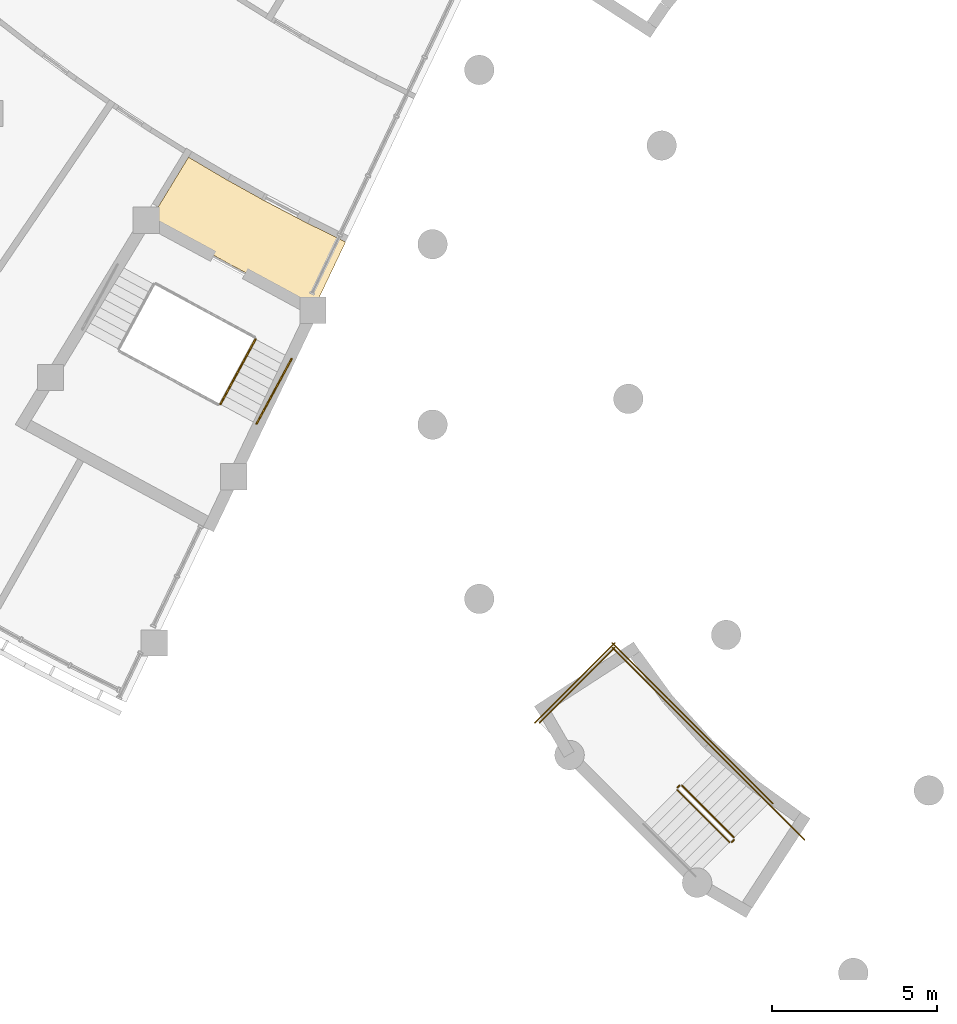
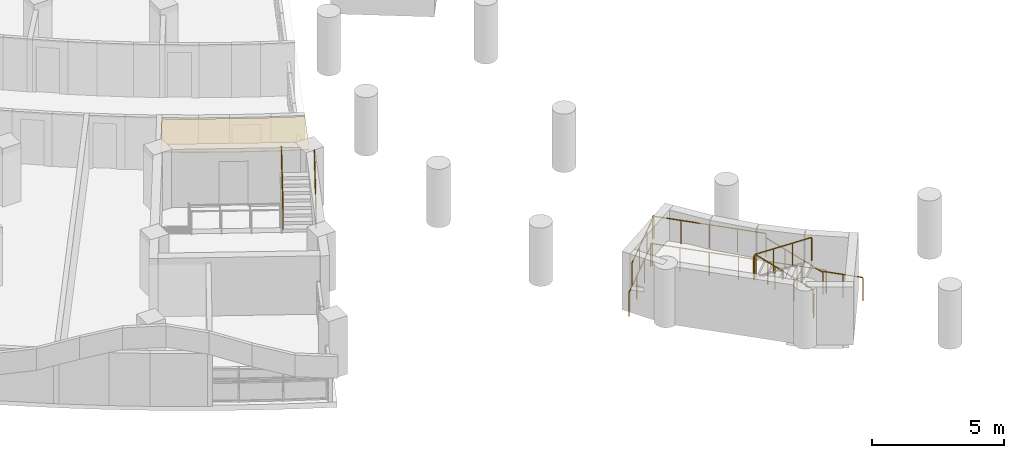
# One storey, part 79 of 89: 12 railings, 1 covering.
"""IFC4 building model written with IfcOpenShell, lengths in metres."""

from ifc_helpers import new_model, si_unit, direction, frame, origin, origin_2d, place, context, subcontext, project, spatial, polyline, circle, outline, extrude, material, layer, layer_set, type_object, element, save


model = new_model("IFC4")

# Units and contexts
model_context = context("Model", 3, precision=1e-05, world=origin(), true_north=direction((0.0, 1.0)))
body_context = subcontext(model_context, "Body", "Model", "MODEL_VIEW")
ifc_project = project(units=[si_unit("LENGTHUNIT", "METRE"), si_unit("AREAUNIT", "SQUARE_METRE"), si_unit("VOLUMEUNIT", "CUBIC_METRE"), si_unit("PLANEANGLEUNIT", "RADIAN"), si_unit("MASSUNIT", "GRAM", prefix="KILO")], contexts=[model_context])

# Site, building, storey
site_placement = place(None, origin())
site = spatial("IfcSite", under=ifc_project, at=site_placement, CompositionType="ELEMENT")
building_placement = place(site_placement, origin())
building = spatial("IfcBuilding", under=site, at=building_placement, Name="Bougainvillea Quay General Hospital", CompositionType="ELEMENT")
storey_placement = place(building_placement, frame((0.0, 0.0, 9.89990234375)))
storey = spatial("IfcBuildingStorey", under=building, at=storey_placement, Name="L01M", CompositionType="ELEMENT", Elevation=9.89990234375)

# Railings
ifc_material_1 = material(Name="Stainless steel 304 balustrade", Category="steel")
railing_type_1 = type_object("IfcRailingType", Name="Stair guard 1100", PredefinedType="GUARDRAIL", material=ifc_material_1)
railing_1_placement = place(storey_placement, frame((81.9326171875, 71.881591796875, 1.5)))
element("IfcRailing", 1, at=railing_1_placement, inside=storey, type_object=railing_type_1, Name="L01M ST-W1 stair guard 3", PredefinedType="GUARDRAIL", context=body_context, shape_type="SweptSolid", body=[
    extrude(circle(Radius=0.02392578125, at=origin_2d()), frame((0.0, 0.0, 1.076171875), z_axis=(0.419352704591, 0.775298127389, 0.472288177725), x_axis=(-0.879577093655, 0.475756383371, 0.0)), (0.0, 0.0, 1.0), 2.541259765625),
    extrude(circle(Radius=0.02099609375, at=origin_2d()), origin(), (0.0, 0.0, 1.0), 1.052001953125),
    extrude(circle(Radius=0.02099609375, at=origin_2d()), frame((0.355224609375, 0.65673828125, 0.400146484375)), (0.0, 0.0, 1.0), 1.052001953125),
    extrude(circle(Radius=0.02099609375, at=origin_2d()), frame((0.71044921875, 1.3134765625, 0.800048828125)), (0.0, 0.0, 1.0), 1.052001953125),
    extrude(circle(Radius=0.02099609375, at=origin_2d()), frame((1.065673828125, 1.97021484375, 1.2001953125)), (0.0, 0.0, 1.0), 1.052001953125),
])
railing_2_placement = place(storey_placement, frame((97.54052734375, 58.7119140625, 0.150146484375)))
element("IfcRailing", 2, at=railing_2_placement, inside=storey, type_object=railing_type_1, Name="L01M ST-H2 stair guard 1", PredefinedType="GUARDRAIL", context=body_context, shape_type="SweptSolid", body=[
    extrude(circle(Radius=0.02392578125, at=origin_2d()), frame((0.0, 0.0, 1.076171875), z_axis=(-0.623253088063, 0.623349165308, 0.472219658984), x_axis=(-0.707161276719, -0.707052281454, 0.0)), (0.0, 0.0, 1.0), 2.541015625),
    extrude(circle(Radius=0.02099609375, at=origin_2d()), origin(), (0.0, 0.0, 1.0), 1.052001953125),
    extrude(circle(Radius=0.02099609375, at=origin_2d()), frame((-0.52783203125, 0.528076171875, 0.39990234375)), (0.0, 0.0, 1.0), 1.052001953125),
    extrude(circle(Radius=0.02099609375, at=origin_2d()), frame((-1.055908203125, 1.055908203125, 0.800048828125)), (0.0, 0.0, 1.0), 1.052001953125),
    extrude(circle(Radius=0.02099609375, at=origin_2d()), frame((-1.583740234375, 1.583984375, 1.199951171875)), (0.0, 0.0, 1.0), 1.052001953125),
])
railing_3_placement = place(storey_placement, frame((95.885986328125, 60.2958984375, 1.35009765625)))
element("IfcRailing", 3, at=railing_3_placement, inside=storey, type_object=railing_type_1, Name="L01M ST-H2 stair guard 2", PredefinedType="GUARDRAIL", context=body_context, shape_type="SweptSolid", body=[
    extrude(circle(Radius=0.02392578125, at=origin_2d()), frame((0.0, 0.0, 1.076171875), z_axis=(-0.707106781187, -0.707106781187, 0.0), x_axis=(0.707106781187, -0.707106781187, 0.0)), (0.0, 0.0, 1.0), 0.10009765625),
    extrude(circle(Radius=0.02099609375, at=origin_2d()), origin(), (0.0, 0.0, 1.0), 1.052001953125),
    extrude(circle(Radius=0.02099609375, at=origin_2d()), frame((-0.07080078125, -0.07080078125, 0.0)), (0.0, 0.0, 1.0), 1.052001953125),
])
railing_4_placement = place(storey_placement, frame((96.9912109375, 61.330322265625, 1.35009765625)))
element("IfcRailing", 4, at=railing_4_placement, inside=storey, type_object=railing_type_1, Name="L01M ST-H2 stair guard 3", PredefinedType="GUARDRAIL", context=body_context, shape_type="SweptSolid", body=[
    extrude(circle(Radius=0.02392578125, at=origin_2d()), frame((0.0, 0.0, 1.076171875), z_axis=(-0.707106781187, 0.707106781187, 0.0), x_axis=(-0.707106781187, -0.707106781187, 0.0)), (0.0, 0.0, 1.0), 4.455078125),
    extrude(circle(Radius=0.02099609375, at=origin_2d()), origin(), (0.0, 0.0, 1.0), 1.052001953125),
    extrude(circle(Radius=0.02099609375, at=origin_2d()), frame((-0.78759765625, 0.78759765625, 0.0)), (0.0, 0.0, 1.0), 1.052001953125),
    extrude(circle(Radius=0.02099609375, at=origin_2d()), frame((-1.5751953125, 1.5751953125, 0.0)), (0.0, 0.0, 1.0), 1.052001953125),
    extrude(circle(Radius=0.02099609375, at=origin_2d()), frame((-2.362548828125, 2.362548828125, 0.0)), (0.0, 0.0, 1.0), 1.052001953125),
    extrude(circle(Radius=0.02099609375, at=origin_2d()), frame((-3.150146484375, 3.150146484375, 0.0)), (0.0, 0.0, 1.0), 1.052001953125),
])
railing_5_placement = place(storey_placement, frame((93.911865234375, 64.48046875, 1.35009765625)))
element("IfcRailing", 5, at=railing_5_placement, inside=storey, type_object=railing_type_1, Name="L01M ST-H2 stair guard 4", PredefinedType="GUARDRAIL", context=body_context, shape_type="SweptSolid", body=[
    extrude(circle(Radius=0.02392578125, at=origin_2d()), frame((0.0, 0.0, 1.076171875), z_axis=(-0.707144619676, -0.707068940672, 0.0), x_axis=(0.707068940672, -0.707144619676, 0.0)), (0.0, 0.0, 1.0), 3.22607421875),
    extrude(circle(Radius=0.02099609375, at=origin_2d()), origin(), (0.0, 0.0, 1.0), 1.052001953125),
    extrude(circle(Radius=0.02099609375, at=origin_2d()), frame((-0.760498046875, -0.76025390625, 0.0)), (0.0, 0.0, 1.0), 1.052001953125),
    extrude(circle(Radius=0.02099609375, at=origin_2d()), frame((-1.520751953125, -1.520751953125, 0.0)), (0.0, 0.0, 1.0), 1.052001953125),
    extrude(circle(Radius=0.02099609375, at=origin_2d()), frame((-2.28125, -2.281005859375, 0.0)), (0.0, 0.0, 1.0), 1.052001953125),
])
railing_6_placement = place(storey_placement, frame((95.815185546875, 60.154541015625, 1.5)))
element("IfcRailing", 6, at=railing_6_placement, inside=storey, type_object=railing_type_1, Name="L01M ST-H2 stair guard 5", PredefinedType="GUARDRAIL", context=body_context, shape_type="SweptSolid", body=[
    extrude(circle(Radius=0.02392578125, at=origin_2d()), frame((0.0, 0.0, 1.076171875), z_axis=(0.62328356241, -0.62328356241, 0.472266028484), x_axis=(0.707106781187, 0.707106781187, 0.0)), (0.0, 0.0, 1.0), 2.541259765625),
    extrude(circle(Radius=0.02099609375, at=origin_2d()), origin(), (0.0, 0.0, 1.0), 1.052001953125),
    extrude(circle(Radius=0.02099609375, at=origin_2d()), frame((0.528076171875, -0.528076171875, 0.400146484375)), (0.0, 0.0, 1.0), 1.052001953125),
    extrude(circle(Radius=0.02099609375, at=origin_2d()), frame((1.055908203125, -1.055908203125, 0.800048828125)), (0.0, 0.0, 1.0), 1.052001953125),
    extrude(circle(Radius=0.02099609375, at=origin_2d()), frame((1.583984375, -1.583984375, 1.2001953125)), (0.0, 0.0, 1.0), 1.052001953125),
])
railing_7_placement = place(storey_placement, frame((97.54052734375, 58.641357421875, 0.0)))
element("IfcRailing", 7, at=railing_7_placement, inside=storey, type_object=railing_type_1, Name="L01M ST-H2 stair guard 6", PredefinedType="GUARDRAIL", context=body_context, shape_type="SweptSolid", body=[
    extrude(circle(Radius=0.02392578125, at=origin_2d()), frame((0.0, 0.0, 1.076171875), z_axis=(-0.705884473151, -0.708326979978, 0.0), x_axis=(0.708326979978, -0.705884473151, 0.0)), (0.0, 0.0, 1.0), 0.099853515625),
    extrude(circle(Radius=0.02099609375, at=origin_2d()), origin(), (0.0, 0.0, 1.0), 1.052001953125),
    extrude(circle(Radius=0.02099609375, at=origin_2d()), frame((-0.070556640625, -0.07080078125, 0.0)), (0.0, 0.0, 1.0), 1.052001953125),
])
railing_8_placement = place(storey_placement, frame((99.680419921875, 58.641357421875, 0.0)))
element("IfcRailing", 8, at=railing_8_placement, inside=storey, type_object=railing_type_1, Name="L01M ST-H2 stair guard 7", PredefinedType="GUARDRAIL", context=body_context, shape_type="SweptSolid", body=[
    extrude(circle(Radius=0.02392578125, at=origin_2d()), frame((0.0, 0.0, 1.076171875), z_axis=(-0.707106781187, 0.707106781187, 0.0), x_axis=(-0.707106781187, -0.707106781187, 0.0)), (0.0, 0.0, 1.0), 1.56298828125),
    extrude(circle(Radius=0.02099609375, at=origin_2d()), origin(), (0.0, 0.0, 1.0), 1.052001953125),
    extrude(circle(Radius=0.02099609375, at=origin_2d()), frame((-0.552734375, 0.552734375, 0.0)), (0.0, 0.0, 1.0), 1.052001953125),
    extrude(circle(Radius=0.02099609375, at=origin_2d()), frame((-1.105224609375, 1.105224609375, 0.0)), (0.0, 0.0, 1.0), 1.052001953125),
])
railing_9_placement = place(storey_placement, frame((98.716552734375, 59.74658203125, 0.0)))
element("IfcRailing", 9, at=railing_9_placement, inside=storey, type_object=railing_type_1, Name="L01M ST-H2 stair guard 8", PredefinedType="GUARDRAIL", context=body_context, shape_type="SweptSolid", body=[
    extrude(circle(Radius=0.02392578125, at=origin_2d()), frame((0.0, 0.0, 1.076171875), z_axis=(-0.707106781187, 0.707106781187, 0.0), x_axis=(-0.707106781187, -0.707106781187, 0.0)), (0.0, 0.0, 1.0), 6.89501953125),
    extrude(circle(Radius=0.02099609375, at=origin_2d()), origin(), (0.0, 0.0, 1.0), 1.052001953125),
    extrude(circle(Radius=0.02099609375, at=origin_2d()), frame((-0.8125, 0.8125, 0.0)), (0.0, 0.0, 1.0), 1.052001953125),
    extrude(circle(Radius=0.02099609375, at=origin_2d()), frame((-1.625244140625, 1.625244140625, 0.0)), (0.0, 0.0, 1.0), 1.052001953125),
    extrude(circle(Radius=0.02099609375, at=origin_2d()), frame((-2.437744140625, 2.437744140625, 0.0)), (0.0, 0.0, 1.0), 1.052001953125),
    extrude(circle(Radius=0.02099609375, at=origin_2d()), frame((-3.250244140625, 3.250244140625, 0.0)), (0.0, 0.0, 1.0), 1.052001953125),
    extrude(circle(Radius=0.02099609375, at=origin_2d()), frame((-4.06298828125, 4.06298828125, 0.0)), (0.0, 0.0, 1.0), 1.052001953125),
    extrude(circle(Radius=0.02099609375, at=origin_2d()), frame((-4.87548828125, 4.87548828125, 0.0)), (0.0, 0.0, 1.0), 1.052001953125),
])
railing_10_placement = place(storey_placement, frame((93.911865234375, 64.6220703125, 0.0)))
element("IfcRailing", 10, at=railing_10_placement, inside=storey, type_object=railing_type_1, Name="L01M ST-H2 stair guard 9", PredefinedType="GUARDRAIL", context=body_context, shape_type="SweptSolid", body=[
    extrude(circle(Radius=0.02392578125, at=origin_2d()), frame((0.0, 0.0, 1.076171875), z_axis=(-0.707106781187, -0.707106781187, 0.0), x_axis=(0.707106781187, -0.707106781187, 0.0)), (0.0, 0.0, 1.0), 3.426025390625),
    extrude(circle(Radius=0.02099609375, at=origin_2d()), origin(), (0.0, 0.0, 1.0), 1.052001953125),
    extrude(circle(Radius=0.02099609375, at=origin_2d()), frame((-0.8076171875, -0.8076171875, 0.0)), (0.0, 0.0, 1.0), 1.052001953125),
    extrude(circle(Radius=0.02099609375, at=origin_2d()), frame((-1.614990234375, -1.614990234375, 0.0)), (0.0, 0.0, 1.0), 1.052001953125),
    extrude(circle(Radius=0.02099609375, at=origin_2d()), frame((-2.422607421875, -2.422607421875, 0.0)), (0.0, 0.0, 1.0), 1.052001953125),
])
ifc_material_2 = material(Name="Stainless steel 304 handrail", Category="steel")
railing_type_2 = type_object("IfcRailingType", Name="Stair handrail 900", PredefinedType="HANDRAIL", material=ifc_material_2)
railing_11_placement = place(storey_placement, frame((83.0322265625, 71.286865234375, 1.5)))
element("IfcRailing", 11, at=railing_11_placement, inside=storey, type_object=railing_type_2, Name="L01M ST-W1 stair handrail 2", PredefinedType="HANDRAIL", context=body_context, shape_type="SweptSolid", body=[
    extrude(circle(Radius=0.02392578125, at=origin_2d()), frame((0.0, 0.0, 0.8759765625), z_axis=(0.41924229281, 0.77536767765, 0.472272023706), x_axis=(-0.87964736087, 0.475626450605, 0.0)), (0.0, 0.0, 1.0), 2.541259765625),
    extrude(circle(Radius=0.02099609375, at=origin_2d()), origin(), (0.0, 0.0, 1.0), 0.851806640625),
    extrude(circle(Radius=0.02099609375, at=origin_2d()), frame((0.355224609375, 0.65673828125, 0.400146484375)), (0.0, 0.0, 1.0), 0.851806640625),
    extrude(circle(Radius=0.02099609375, at=origin_2d()), frame((0.710205078125, 1.313720703125, 0.800048828125)), (0.0, 0.0, 1.0), 0.851806640625),
    extrude(circle(Radius=0.02099609375, at=origin_2d()), frame((1.0654296875, 1.970458984375, 1.2001953125)), (0.0, 0.0, 1.0), 0.851806640625),
])
railing_12_placement = place(storey_placement, frame((98.5751953125, 59.74658203125, 0.150146484375)))
element("IfcRailing", 12, at=railing_12_placement, inside=storey, type_object=railing_type_2, Name="L01M ST-H2 stair handrail 1", PredefinedType="HANDRAIL", context=body_context, shape_type="SweptSolid", body=[
    extrude(circle(Radius=0.02392578125, at=origin_2d()), frame((0.0, 0.0, 0.8759765625), z_axis=(-0.623349165308, 0.623253088063, 0.472219658984), x_axis=(-0.707052281454, -0.707161276719, 0.0)), (0.0, 0.0, 1.0), 2.541015625),
    extrude(circle(Radius=0.02099609375, at=origin_2d()), origin(), (0.0, 0.0, 1.0), 0.851806640625),
    extrude(circle(Radius=0.02099609375, at=origin_2d()), frame((-0.528076171875, 0.52783203125, 0.39990234375)), (0.0, 0.0, 1.0), 0.851806640625),
    extrude(circle(Radius=0.02099609375, at=origin_2d()), frame((-1.055908203125, 1.055908203125, 0.800048828125)), (0.0, 0.0, 1.0), 0.851806640625),
    extrude(circle(Radius=0.02099609375, at=origin_2d()), frame((-1.583984375, 1.583740234375, 1.199951171875)), (0.0, 0.0, 1.0), 0.851806640625),
])

# Covering
ifc_material_3 = material(Name="Mineral fibre ceiling tile")
ifc_layer = layer(ifc_material_3, 0.030029296875)
ifc_layer_set = layer_set([ifc_layer], Name="Mineral fibre ceiling tile")
covering_type = type_object("IfcCoveringType", Name="Suspended ceiling mineral fibre tile", PredefinedType="CEILING", material=ifc_layer_set)
covering_placement = place(storey_placement, frame((0.0, 0.0, 2.3701171875)))
element("IfcCovering", 13, at=covering_placement, inside=storey, type_object=covering_type, Name="Ceiling Smoke-proof Vestibule ST-W1", PredefinedType="CEILING", context=body_context, shape_type="SweptSolid", body=[
    extrude(outline(polyline([(85.780029296875, 76.89892578125), (85.73583984375, 76.809326171875), (84.586181640625, 77.376220703125), (84.585205078125, 77.3740234375), (84.49755859375, 77.419921875), (84.4091796875, 77.463623046875), (84.41015625, 77.4658203125), (83.36083984375, 78.01611328125), (83.359619140625, 78.013916015625), (83.2734375, 78.06201171875), (83.18603515625, 78.10791015625), (83.187255859375, 78.110107421875), (82.152587890625, 78.686279296875), (82.151123046875, 78.68408203125), (82.066162109375, 78.734375), (81.97998046875, 78.7822265625), (81.981201171875, 78.784423828125), (80.962158203125, 79.38671875), (79.819091796875, 77.507568359375), (80.970703125, 76.82666015625), (82.2265625, 76.126953125), (83.500244140625, 75.459228515625), (84.7900390625, 74.8232421875), (85.780029296875, 76.89892578125)])), origin(), (0.0, 0.0, 1.0), 0.030029296875),
])

save(model, "model.ifc")
